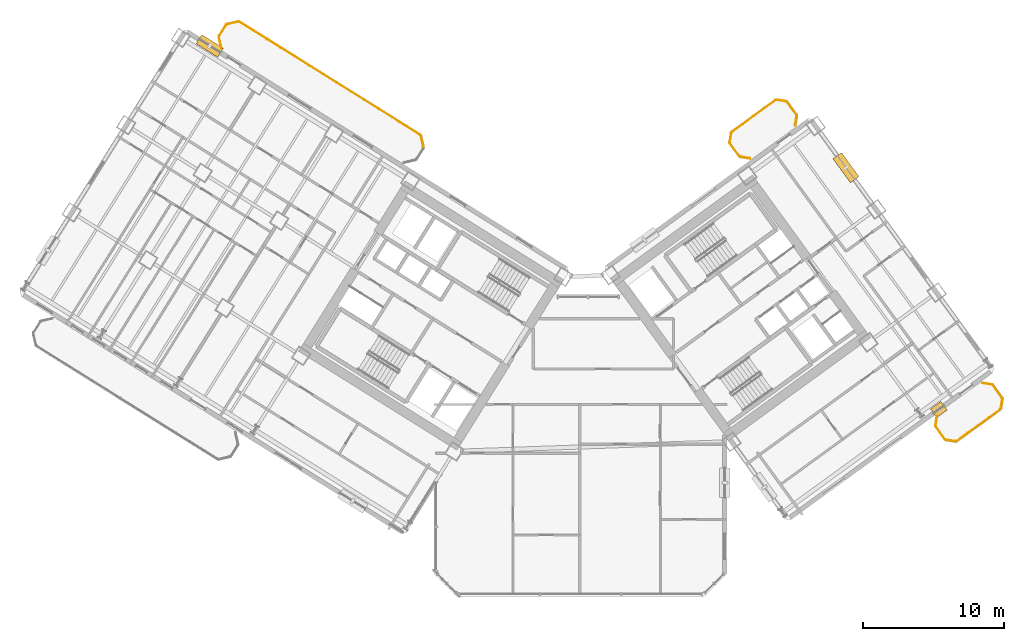
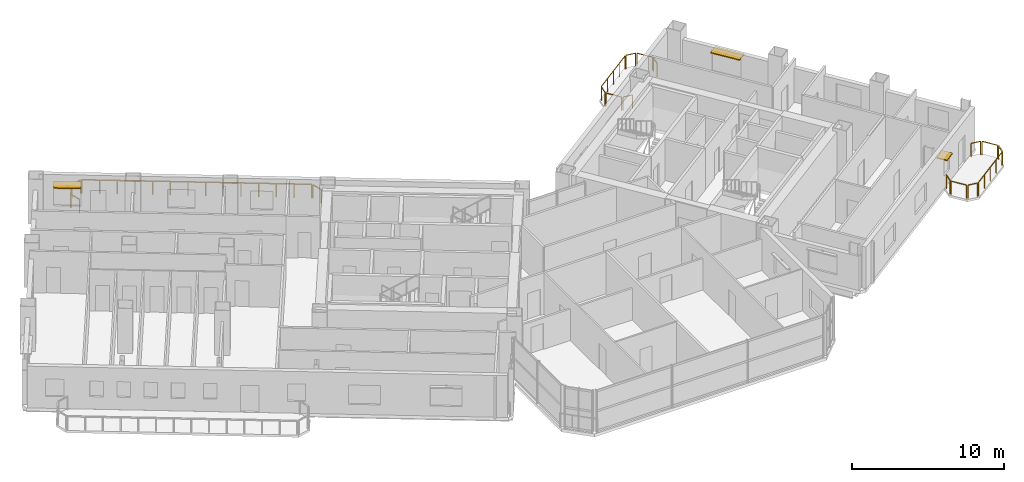
# One storey, part 24 of 24: 19 railings, 3 shading devices.
"""IFC4 building model written with IfcOpenShell, lengths in metres."""

from ifc_helpers import new_model, si_unit, direction, frame, origin, origin_2d, place, context, subcontext, project, spatial, rectangle, extrude, source, transform, mapped, material, layer, layer_set, type_object, element, save


model = new_model("IFC4")

# Units and contexts
model_context = context("Model", 3, precision=1e-05, world=origin(), true_north=direction((0.0, 1.0)))
body_context = subcontext(model_context, "Body", "Model", "MODEL_VIEW")
ifc_project = project(units=[si_unit("LENGTHUNIT", "METRE"), si_unit("AREAUNIT", "SQUARE_METRE"), si_unit("VOLUMEUNIT", "CUBIC_METRE"), si_unit("PLANEANGLEUNIT", "RADIAN"), si_unit("MASSUNIT", "GRAM", prefix="KILO")], contexts=[model_context])

# Site, building, storey
site_placement = place(None, origin())
site = spatial("IfcSite", under=ifc_project, at=site_placement, CompositionType="ELEMENT")
building_placement = place(site_placement, origin())
building = spatial("IfcBuilding", under=site, at=building_placement, Name="Tlacorven Tower", CompositionType="ELEMENT")
storey_placement = place(building_placement, frame((0.0, 0.0, 31.199951171875)))
storey = spatial("IfcBuildingStorey", under=building, at=storey_placement, Name="L07", CompositionType="ELEMENT", Elevation=31.199951171875)

# Railings
ifc_material_1 = material(Name="Aluminium and painted steel balustrade", Category="steel")
railing_type = type_object("IfcRailingType", Name="RL-BAL-1100", PredefinedType="BALUSTRADE", material=ifc_material_1)
shared_shape_1 = source(origin(), body_context, "Body", "SweptSolid", [
    extrude(rectangle(XDim=0.048095703125, YDim=0.048095703125, at=origin_2d()), frame((0.0, 0.0, 1.076171875), z_axis=(0.225058334816, -0.974345290916, 0.0), x_axis=(0.974345290916, 0.225058334816, 0.0)), (0.0, 0.0, 1.0), 0.80712890625),
    extrude(rectangle(XDim=0.0419921875, YDim=0.0419921875, at=origin_2d()), origin(), (0.0, 0.0, 1.0), 1.052001953125),
    extrude(rectangle(XDim=0.0419921875, YDim=0.0419921875, at=origin_2d()), frame((0.181640625, -0.786376953125, 0.0)), (0.0, 0.0, 1.0), 1.052001953125),
])
railing_1_placement = place(storey_placement, frame((30.6796875, 34.466064453125, 0.0)))
element("IfcRailing", 1, at=railing_1_placement, inside=storey, type_object=railing_type, Name="BAL-L07-W-IN Guard Railing 1", PredefinedType="BALUSTRADE", context=body_context, shape_type="MappedRepresentation", body=[
    mapped(shared_shape_1, transform((0.0, 0.0, 0.0), scale=1.0)),
])
shared_shape_2 = source(origin(), body_context, "Body", "SweptSolid", [
    extrude(rectangle(XDim=0.048095703125, YDim=0.048095703125, at=origin_2d()), frame((0.0, 0.0, 1.076171875), z_axis=(-0.225058334816, 0.974345290916, 0.0), x_axis=(-0.974345290916, -0.225058334816, 0.0)), (0.0, 0.0, 1.0), 0.80712890625),
    extrude(rectangle(XDim=0.0419921875, YDim=0.0419921875, at=origin_2d()), origin(), (0.0, 0.0, 1.0), 1.052001953125),
    extrude(rectangle(XDim=0.0419921875, YDim=0.0419921875, at=origin_2d()), frame((-0.181640625, 0.786376953125, 0.0)), (0.0, 0.0, 1.0), 1.052001953125),
])
railing_2_placement = place(storey_placement, frame((16.5361328125, 40.68115234375, 0.0)))
element("IfcRailing", 2, at=railing_2_placement, inside=storey, type_object=railing_type, Name="BAL-L07-W-IN Guard Railing 4", PredefinedType="BALUSTRADE", context=body_context, shape_type="MappedRepresentation", body=[
    mapped(shared_shape_2, transform((0.0, 0.0, 0.0), scale=1.0)),
])
shared_shape_3 = source(origin(), body_context, "Body", "SweptSolid", [
    extrude(rectangle(XDim=0.048095703125, YDim=0.048095703125, at=origin_2d()), frame((0.0, 0.0, 1.076171875), z_axis=(0.52987865805, 0.848073468364, 0.0), x_axis=(-0.848073468364, 0.52987865805, 0.0)), (0.0, 0.0, 1.0), 0.912353515625),
    extrude(rectangle(XDim=0.0419921875, YDim=0.0419921875, at=origin_2d()), origin(), (0.0, 0.0, 1.0), 1.052001953125),
    extrude(rectangle(XDim=0.0419921875, YDim=0.0419921875, at=origin_2d()), frame((0.4833984375, 0.773681640625, 0.0)), (0.0, 0.0, 1.0), 1.052001953125),
])
railing_3_placement = place(storey_placement, frame((16.369873046875, 41.55859375, 0.0)))
element("IfcRailing", 3, at=railing_3_placement, inside=storey, type_object=railing_type, Name="BAL-L07-W-IN Guard Railing 5", PredefinedType="BALUSTRADE", context=body_context, shape_type="MappedRepresentation", body=[
    mapped(shared_shape_3, transform((0.0, 0.0, 0.0), scale=1.0)),
])
shared_shape_4 = source(origin(), body_context, "Body", "SweptSolid", [
    extrude(rectangle(XDim=0.048095703125, YDim=0.048095703125, at=origin_2d()), frame((0.0, 0.0, 1.076171875), z_axis=(0.974411586182, 0.224771129628, 0.0), x_axis=(-0.224771129628, 0.974411586182, 0.0)), (0.0, 0.0, 1.0), 0.80712890625),
    extrude(rectangle(XDim=0.0419921875, YDim=0.0419921875, at=origin_2d()), origin(), (0.0, 0.0, 1.0), 1.052001953125),
    extrude(rectangle(XDim=0.0419921875, YDim=0.0419921875, at=origin_2d()), frame((0.786376953125, 0.181396484375, 0.0)), (0.0, 0.0, 1.0), 1.052001953125),
])
railing_4_placement = place(storey_placement, frame((16.928466796875, 42.385986328125, 0.0)))
element("IfcRailing", 4, at=railing_4_placement, inside=storey, type_object=railing_type, Name="BAL-L07-W-IN Guard Railing 6", PredefinedType="BALUSTRADE", context=body_context, shape_type="MappedRepresentation", body=[
    mapped(shared_shape_4, transform((0.0, 0.0, 0.0), scale=1.0)),
])
shared_shape_5 = source(origin(), body_context, "Body", "SweptSolid", [
    extrude(rectangle(XDim=0.048095703125, YDim=0.048095703125, at=origin_2d()), frame((0.0, 0.0, 1.076171875), z_axis=(0.848044572804, -0.529924902733, 0.0), x_axis=(0.529924902733, 0.848044572804, 0.0)), (0.0, 0.0, 1.0), 15.1171875),
    extrude(rectangle(XDim=0.0419921875, YDim=0.0419921875, at=origin_2d()), origin(), (0.0, 0.0, 1.0), 1.052001953125),
    extrude(rectangle(XDim=0.0419921875, YDim=0.0419921875, at=origin_2d()), frame((0.986083984375, -0.6162109375, 0.0)), (0.0, 0.0, 1.0), 1.052001953125),
    extrude(rectangle(XDim=0.0419921875, YDim=0.0419921875, at=origin_2d()), frame((1.972412109375, -1.232421875, 0.0)), (0.0, 0.0, 1.0), 1.052001953125),
    extrude(rectangle(XDim=0.0419921875, YDim=0.0419921875, at=origin_2d()), frame((2.95849609375, -1.8486328125, 0.0)), (0.0, 0.0, 1.0), 1.052001953125),
    extrude(rectangle(XDim=0.0419921875, YDim=0.0419921875, at=origin_2d()), frame((3.944580078125, -2.46484375, 0.0)), (0.0, 0.0, 1.0), 1.052001953125),
    extrude(rectangle(XDim=0.0419921875, YDim=0.0419921875, at=origin_2d()), frame((4.930908203125, -3.0810546875, 0.0)), (0.0, 0.0, 1.0), 1.052001953125),
    extrude(rectangle(XDim=0.0419921875, YDim=0.0419921875, at=origin_2d()), frame((5.9169921875, -3.697265625, 0.0)), (0.0, 0.0, 1.0), 1.052001953125),
    extrude(rectangle(XDim=0.0419921875, YDim=0.0419921875, at=origin_2d()), frame((6.903076171875, -4.313720703125, 0.0)), (0.0, 0.0, 1.0), 1.052001953125),
    extrude(rectangle(XDim=0.0419921875, YDim=0.0419921875, at=origin_2d()), frame((7.88916015625, -4.929931640625, 0.0)), (0.0, 0.0, 1.0), 1.052001953125),
    extrude(rectangle(XDim=0.0419921875, YDim=0.0419921875, at=origin_2d()), frame((8.87548828125, -5.546142578125, 0.0)), (0.0, 0.0, 1.0), 1.052001953125),
    extrude(rectangle(XDim=0.0419921875, YDim=0.0419921875, at=origin_2d()), frame((9.861572265625, -6.162353515625, 0.0)), (0.0, 0.0, 1.0), 1.052001953125),
    extrude(rectangle(XDim=0.0419921875, YDim=0.0419921875, at=origin_2d()), frame((10.84765625, -6.778564453125, 0.0)), (0.0, 0.0, 1.0), 1.052001953125),
    extrude(rectangle(XDim=0.0419921875, YDim=0.0419921875, at=origin_2d()), frame((11.833984375, -7.394775390625, 0.0)), (0.0, 0.0, 1.0), 1.052001953125),
    extrude(rectangle(XDim=0.0419921875, YDim=0.0419921875, at=origin_2d()), frame((12.820068359375, -8.010986328125, 0.0)), (0.0, 0.0, 1.0), 1.052001953125),
])
railing_5_placement = place(storey_placement, frame((17.805908203125, 42.55224609375, 0.0)))
element("IfcRailing", 5, at=railing_5_placement, inside=storey, type_object=railing_type, Name="BAL-L07-W-IN Guard Railing 7", PredefinedType="BALUSTRADE", context=body_context, shape_type="MappedRepresentation", body=[
    mapped(shared_shape_5, transform((0.0, 0.0, 0.0), scale=1.0)),
])
shared_shape_6 = source(origin(), body_context, "Body", "SweptSolid", [
    extrude(rectangle(XDim=0.048095703125, YDim=0.048095703125, at=origin_2d()), frame((0.0, 0.0, 1.076171875), z_axis=(-0.987661653326, 0.156602868908, 0.0), x_axis=(-0.156602868908, -0.987661653326, 0.0)), (0.0, 0.0, 1.0), 0.665771484375),
    extrude(rectangle(XDim=0.0419921875, YDim=0.0419921875, at=origin_2d()), origin(), (0.0, 0.0, 1.0), 1.052001953125),
    extrude(rectangle(XDim=0.0419921875, YDim=0.0419921875, at=origin_2d()), frame((-0.657470703125, 0.104248046875, 0.0)), (0.0, 0.0, 1.0), 1.052001953125),
])
railing_6_placement = place(storey_placement, frame((68.59521484375, 12.7919921875, 0.0)))
element("IfcRailing", 6, at=railing_6_placement, inside=storey, type_object=railing_type, Name="BAL-L07-E-OUT Guard Railing 1", PredefinedType="BALUSTRADE", context=body_context, shape_type="MappedRepresentation", body=[
    mapped(shared_shape_6, transform((0.0, 0.0, 0.0), scale=1.0)),
])
shared_shape_7 = source(origin(), body_context, "Body", "SweptSolid", [
    extrude(rectangle(XDim=0.048095703125, YDim=0.048095703125, at=origin_2d()), frame((0.0, 0.0, 1.076171875), z_axis=(-0.58788449985, 0.808944877501, 0.0), x_axis=(-0.808944877501, -0.58788449985, 0.0)), (0.0, 0.0, 1.0), 1.112060546875),
    extrude(rectangle(XDim=0.0419921875, YDim=0.0419921875, at=origin_2d()), origin(), (0.0, 0.0, 1.0), 1.052001953125),
    extrude(rectangle(XDim=0.0419921875, YDim=0.0419921875, at=origin_2d()), frame((-0.65380859375, 0.899658203125, 0.0)), (0.0, 0.0, 1.0), 1.052001953125),
])
railing_7_placement = place(storey_placement, frame((67.85888671875, 12.944580078125, 0.0)))
element("IfcRailing", 7, at=railing_7_placement, inside=storey, type_object=railing_type, Name="BAL-L07-E-OUT Guard Railing 2", PredefinedType="BALUSTRADE", context=body_context, shape_type="MappedRepresentation", body=[
    mapped(shared_shape_7, transform((0.0, 0.0, 0.0), scale=1.0)),
])
shared_shape_8 = source(origin(), body_context, "Body", "SweptSolid", [
    extrude(rectangle(XDim=0.048095703125, YDim=0.048095703125, at=origin_2d()), frame((0.0, 0.0, 1.076171875), z_axis=(0.156602868908, 0.987661653326, 0.0), x_axis=(-0.987661653326, 0.156602868908, 0.0)), (0.0, 0.0, 1.0), 0.665771484375),
    extrude(rectangle(XDim=0.0419921875, YDim=0.0419921875, at=origin_2d()), origin(), (0.0, 0.0, 1.0), 1.052001953125),
    extrude(rectangle(XDim=0.0419921875, YDim=0.0419921875, at=origin_2d()), frame((0.104248046875, 0.657470703125, 0.0)), (0.0, 0.0, 1.0), 1.052001953125),
])
railing_8_placement = place(storey_placement, frame((67.18359375, 13.93408203125, 0.0)))
element("IfcRailing", 8, at=railing_8_placement, inside=storey, type_object=railing_type, Name="BAL-L07-E-OUT Guard Railing 3", PredefinedType="BALUSTRADE", context=body_context, shape_type="MappedRepresentation", body=[
    mapped(shared_shape_8, transform((0.0, 0.0, 0.0), scale=1.0)),
])
shared_shape_9 = source(origin(), body_context, "Body", "SweptSolid", [
    extrude(rectangle(XDim=0.048095703125, YDim=0.048095703125, at=origin_2d()), frame((0.0, 0.0, 1.076171875), z_axis=(0.987718317463, -0.156245081039, 0.0), x_axis=(0.156245081039, 0.987718317463, 0.0)), (0.0, 0.0, 1.0), 0.66552734375),
    extrude(rectangle(XDim=0.0419921875, YDim=0.0419921875, at=origin_2d()), origin(), (0.0, 0.0, 1.0), 1.052001953125),
    extrude(rectangle(XDim=0.0419921875, YDim=0.0419921875, at=origin_2d()), frame((0.657470703125, -0.10400390625, 0.0)), (0.0, 0.0, 1.0), 1.052001953125),
])
railing_9_placement = place(storey_placement, frame((70.513916015625, 16.935546875, 0.0)))
element("IfcRailing", 9, at=railing_9_placement, inside=storey, type_object=railing_type, Name="BAL-L07-E-OUT Guard Railing 4", PredefinedType="BALUSTRADE", context=body_context, shape_type="MappedRepresentation", body=[
    mapped(shared_shape_9, transform((0.0, 0.0, 0.0), scale=1.0)),
])
shared_shape_10 = source(origin(), body_context, "Body", "SweptSolid", [
    extrude(rectangle(XDim=0.048095703125, YDim=0.048095703125, at=origin_2d()), frame((0.0, 0.0, 1.076171875), z_axis=(0.58788449985, -0.808944877501, 0.0), x_axis=(0.808944877501, 0.58788449985, 0.0)), (0.0, 0.0, 1.0), 1.112060546875),
    extrude(rectangle(XDim=0.0419921875, YDim=0.0419921875, at=origin_2d()), origin(), (0.0, 0.0, 1.0), 1.052001953125),
    extrude(rectangle(XDim=0.0419921875, YDim=0.0419921875, at=origin_2d()), frame((0.65380859375, -0.899658203125, 0.0)), (0.0, 0.0, 1.0), 1.052001953125),
])
for number, where, name in (
    (10, (71.250244140625, 16.783203125, 0.0), "BAL-L07-E-OUT Guard Railing 5"),
    (11, (56.658447265625, 36.866943359375, 0.0), "BAL-L07-E-IN Guard Railing 6"),
):
    element("IfcRailing", number, at=place(storey_placement, frame(where)), inside=storey, type_object=railing_type, Name=name, PredefinedType="BALUSTRADE", context=body_context, shape_type="MappedRepresentation", body=[
        mapped(shared_shape_10, transform((0.0, 0.0, 0.0), scale=1.0)),
    ])
shared_shape_11 = source(origin(), body_context, "Body", "SweptSolid", [
    extrude(rectangle(XDim=0.048095703125, YDim=0.048095703125, at=origin_2d()), frame((0.0, 0.0, 1.076171875), z_axis=(-0.156188498702, -0.987727266442, 0.0), x_axis=(0.987727266442, -0.156188498702, 0.0)), (0.0, 0.0, 1.0), 0.665771484375),
    extrude(rectangle(XDim=0.0419921875, YDim=0.0419921875, at=origin_2d()), origin(), (0.0, 0.0, 1.0), 1.052001953125),
    extrude(rectangle(XDim=0.0419921875, YDim=0.0419921875, at=origin_2d()), frame((-0.10400390625, -0.65771484375, 0.0)), (0.0, 0.0, 1.0), 1.052001953125),
])
railing_10_placement = place(storey_placement, frame((71.925537109375, 15.793701171875, 0.0)))
element("IfcRailing", 12, at=railing_10_placement, inside=storey, type_object=railing_type, Name="BAL-L07-E-OUT Guard Railing 6", PredefinedType="BALUSTRADE", context=body_context, shape_type="MappedRepresentation", body=[
    mapped(shared_shape_11, transform((0.0, 0.0, 0.0), scale=1.0)),
])
shared_shape_12 = source(origin(), body_context, "Body", "SweptSolid", [
    extrude(rectangle(XDim=0.048095703125, YDim=0.048095703125, at=origin_2d()), frame((0.0, 0.0, 1.076171875), z_axis=(-0.809018102573, -0.587783726986, 0.0), x_axis=(0.587783726986, -0.809018102573, 0.0)), (0.0, 0.0, 1.0), 3.817138671875),
    extrude(rectangle(XDim=0.0419921875, YDim=0.0419921875, at=origin_2d()), origin(), (0.0, 0.0, 1.0), 1.052001953125),
    extrude(rectangle(XDim=0.0419921875, YDim=0.0419921875, at=origin_2d()), frame((-0.77197265625, -0.56103515625, 0.0)), (0.0, 0.0, 1.0), 1.052001953125),
    extrude(rectangle(XDim=0.0419921875, YDim=0.0419921875, at=origin_2d()), frame((-1.5439453125, -1.121826171875, 0.0)), (0.0, 0.0, 1.0), 1.052001953125),
    extrude(rectangle(XDim=0.0419921875, YDim=0.0419921875, at=origin_2d()), frame((-2.316162109375, -1.6826171875, 0.0)), (0.0, 0.0, 1.0), 1.052001953125),
    extrude(rectangle(XDim=0.0419921875, YDim=0.0419921875, at=origin_2d()), frame((-3.088134765625, -2.24365234375, 0.0)), (0.0, 0.0, 1.0), 1.052001953125),
])
railing_11_placement = place(storey_placement, frame((71.773193359375, 15.057373046875, 0.0)))
element("IfcRailing", 13, at=railing_11_placement, inside=storey, type_object=railing_type, Name="BAL-L07-E-OUT Guard Railing 7", PredefinedType="BALUSTRADE", context=body_context, shape_type="MappedRepresentation", body=[
    mapped(shared_shape_12, transform((0.0, 0.0, 0.0), scale=1.0)),
])
shared_shape_13 = source(origin(), body_context, "Body", "SweptSolid", [
    extrude(rectangle(XDim=0.048095703125, YDim=0.048095703125, at=origin_2d()), frame((0.0, 0.0, 1.076171875), z_axis=(-0.987718317463, 0.156245081039, 0.0), x_axis=(-0.156245081039, -0.987718317463, 0.0)), (0.0, 0.0, 1.0), 0.66552734375),
    extrude(rectangle(XDim=0.0419921875, YDim=0.0419921875, at=origin_2d()), origin(), (0.0, 0.0, 1.0), 1.052001953125),
    extrude(rectangle(XDim=0.0419921875, YDim=0.0419921875, at=origin_2d()), frame((-0.657470703125, 0.10400390625, 0.0)), (0.0, 0.0, 1.0), 1.052001953125),
])
railing_12_placement = place(storey_placement, frame((54.00341796875, 32.8759765625, 0.0)))
element("IfcRailing", 14, at=railing_12_placement, inside=storey, type_object=railing_type, Name="BAL-L07-E-IN Guard Railing 1", PredefinedType="BALUSTRADE", context=body_context, shape_type="MappedRepresentation", body=[
    mapped(shared_shape_13, transform((0.0, 0.0, 0.0), scale=1.0)),
])
shared_shape_14 = source(origin(), body_context, "Body", "SweptSolid", [
    extrude(rectangle(XDim=0.048095703125, YDim=0.048095703125, at=origin_2d()), frame((0.0, 0.0, 1.076171875), z_axis=(-0.587740817519, 0.809049276263, 0.0), x_axis=(-0.809049276263, -0.587740817519, 0.0)), (0.0, 0.0, 1.0), 1.112060546875),
    extrude(rectangle(XDim=0.0419921875, YDim=0.0419921875, at=origin_2d()), origin(), (0.0, 0.0, 1.0), 1.052001953125),
    extrude(rectangle(XDim=0.0419921875, YDim=0.0419921875, at=origin_2d()), frame((-0.653564453125, 0.899658203125, 0.0)), (0.0, 0.0, 1.0), 1.052001953125),
])
railing_13_placement = place(storey_placement, frame((53.26708984375, 33.0283203125, 0.0)))
element("IfcRailing", 15, at=railing_13_placement, inside=storey, type_object=railing_type, Name="BAL-L07-E-IN Guard Railing 2", PredefinedType="BALUSTRADE", context=body_context, shape_type="MappedRepresentation", body=[
    mapped(shared_shape_14, transform((0.0, 0.0, 0.0), scale=1.0)),
])
shared_shape_15 = source(origin(), body_context, "Body", "SweptSolid", [
    extrude(rectangle(XDim=0.048095703125, YDim=0.048095703125, at=origin_2d()), frame((0.0, 0.0, 1.076171875), z_axis=(0.156546163506, 0.987670642822, 0.0), x_axis=(-0.987670642822, 0.156546163506, 0.0)), (0.0, 0.0, 1.0), 0.666015625),
    extrude(rectangle(XDim=0.0419921875, YDim=0.0419921875, at=origin_2d()), origin(), (0.0, 0.0, 1.0), 1.052001953125),
    extrude(rectangle(XDim=0.0419921875, YDim=0.0419921875, at=origin_2d()), frame((0.104248046875, 0.65771484375, 0.0)), (0.0, 0.0, 1.0), 1.052001953125),
])
railing_14_placement = place(storey_placement, frame((52.591796875, 34.017822265625, 0.0)))
element("IfcRailing", 16, at=railing_14_placement, inside=storey, type_object=railing_type, Name="BAL-L07-E-IN Guard Railing 3", PredefinedType="BALUSTRADE", context=body_context, shape_type="MappedRepresentation", body=[
    mapped(shared_shape_15, transform((0.0, 0.0, 0.0), scale=1.0)),
])
shared_shape_16 = source(origin(), body_context, "Body", "SweptSolid", [
    extrude(rectangle(XDim=0.048095703125, YDim=0.048095703125, at=origin_2d()), frame((0.0, 0.0, 1.076171875), z_axis=(0.809040198054, 0.587753313843, 0.0), x_axis=(-0.587753313843, 0.809040198054, 0.0)), (0.0, 0.0, 1.0), 3.8173828125),
    extrude(rectangle(XDim=0.0419921875, YDim=0.0419921875, at=origin_2d()), origin(), (0.0, 0.0, 1.0), 1.052001953125),
    extrude(rectangle(XDim=0.0419921875, YDim=0.0419921875, at=origin_2d()), frame((0.77197265625, 0.56103515625, 0.0)), (0.0, 0.0, 1.0), 1.052001953125),
    extrude(rectangle(XDim=0.0419921875, YDim=0.0419921875, at=origin_2d()), frame((1.544189453125, 1.121826171875, 0.0)), (0.0, 0.0, 1.0), 1.052001953125),
    extrude(rectangle(XDim=0.0419921875, YDim=0.0419921875, at=origin_2d()), frame((2.31640625, 1.6826171875, 0.0)), (0.0, 0.0, 1.0), 1.052001953125),
    extrude(rectangle(XDim=0.0419921875, YDim=0.0419921875, at=origin_2d()), frame((3.08837890625, 2.24365234375, 0.0)), (0.0, 0.0, 1.0), 1.052001953125),
])
railing_15_placement = place(storey_placement, frame((52.744140625, 34.754150390625, 0.0)))
element("IfcRailing", 17, at=railing_15_placement, inside=storey, type_object=railing_type, Name="BAL-L07-E-IN Guard Railing 4", PredefinedType="BALUSTRADE", context=body_context, shape_type="MappedRepresentation", body=[
    mapped(shared_shape_16, transform((0.0, 0.0, 0.0), scale=1.0)),
])
shared_shape_17 = source(origin(), body_context, "Body", "SweptSolid", [
    extrude(rectangle(XDim=0.048095703125, YDim=0.048095703125, at=origin_2d()), frame((0.0, 0.0, 1.076171875), z_axis=(0.987670642822, -0.156546163506, 0.0), x_axis=(0.156546163506, 0.987670642822, 0.0)), (0.0, 0.0, 1.0), 0.666015625),
    extrude(rectangle(XDim=0.0419921875, YDim=0.0419921875, at=origin_2d()), origin(), (0.0, 0.0, 1.0), 1.052001953125),
    extrude(rectangle(XDim=0.0419921875, YDim=0.0419921875, at=origin_2d()), frame((0.65771484375, -0.104248046875, 0.0)), (0.0, 0.0, 1.0), 1.052001953125),
])
railing_16_placement = place(storey_placement, frame((55.922119140625, 37.01953125, 0.0)))
element("IfcRailing", 18, at=railing_16_placement, inside=storey, type_object=railing_type, Name="BAL-L07-E-IN Guard Railing 5", PredefinedType="BALUSTRADE", context=body_context, shape_type="MappedRepresentation", body=[
    mapped(shared_shape_17, transform((0.0, 0.0, 0.0), scale=1.0)),
])
shared_shape_18 = source(origin(), body_context, "Body", "SweptSolid", [
    extrude(rectangle(XDim=0.048095703125, YDim=0.048095703125, at=origin_2d()), frame((0.0, 0.0, 1.076171875), z_axis=(-0.156245081039, -0.987718317463, 0.0), x_axis=(0.987718317463, -0.156245081039, 0.0)), (0.0, 0.0, 1.0), 0.66552734375),
    extrude(rectangle(XDim=0.0419921875, YDim=0.0419921875, at=origin_2d()), origin(), (0.0, 0.0, 1.0), 1.052001953125),
    extrude(rectangle(XDim=0.0419921875, YDim=0.0419921875, at=origin_2d()), frame((-0.10400390625, -0.657470703125, 0.0)), (0.0, 0.0, 1.0), 1.052001953125),
])
railing_17_placement = place(storey_placement, frame((57.333740234375, 35.87744140625, 0.0)))
element("IfcRailing", 19, at=railing_17_placement, inside=storey, type_object=railing_type, Name="BAL-L07-E-IN Guard Railing 7", PredefinedType="BALUSTRADE", context=body_context, shape_type="MappedRepresentation", body=[
    mapped(shared_shape_18, transform((0.0, 0.0, 0.0), scale=1.0)),
])

# Shading devices
ifc_material_2 = material(Name="Anodised bronze aluminium sunshade", Category="aluminium")
ifc_layer = layer(ifc_material_2, 0.080078125)
ifc_layer_set = layer_set([ifc_layer], Name="Anodised bronze aluminium sunshade")
shading_device_type = type_object("IfcShadingDeviceType", Name="SH-SUN-BRZ", PredefinedType="AWNING", material=ifc_layer_set)
shared_shape_19 = source(origin(), body_context, "Body", "SweptSolid", [
    extrude(rectangle(XDim=2.10009765625, YDim=0.75, at=origin_2d()), origin(), (0.0, 0.0, 1.0), 0.080078125),
])
shading_device_1_placement = place(storey_placement, frame((60.83154296875, 32.21240234375, 2.3701171875), z_axis=(0.0, 0.0, 1.0), x_axis=(0.587785363163, -0.809016913823, 0.0)))
element("IfcShadingDevice", 20, at=shading_device_1_placement, inside=storey, type_object=shading_device_type, Name="L07 Solar Brise-Soleil Sunshade L07-05.1", PredefinedType="AWNING", context=body_context, shape_type="MappedRepresentation", body=[
    mapped(shared_shape_19, transform((0.0, 0.0, 0.0), scale=1.0)),
])
shared_shape_20 = source(origin(), body_context, "Body", "SweptSolid", [
    extrude(rectangle(XDim=1.800048828125, YDim=0.75, at=origin_2d()), origin(), (0.0, 0.0, 1.0), 0.080078125),
])
shading_device_2_placement = place(storey_placement, frame((15.7041015625, 40.846923828125, 2.3701171875), z_axis=(0.0, 0.0, 1.0), x_axis=(0.84804812172, -0.529919223323, 0.0)))
element("IfcShadingDevice", 21, at=shading_device_2_placement, inside=storey, type_object=shading_device_type, Name="L07 Solar Brise-Soleil Sunshade L07-03.1", PredefinedType="AWNING", context=body_context, shape_type="MappedRepresentation", body=[
    mapped(shared_shape_20, transform((0.0, 0.0, 0.0), scale=1.0)),
])
shared_shape_21 = source(origin(), body_context, "Body", "SweptSolid", [
    extrude(rectangle(XDim=0.89990234375, YDim=0.75, at=origin_2d()), origin(), (0.0, 0.0, 1.0), 0.080078125),
])
shading_device_3_placement = place(storey_placement, frame((67.413818359375, 15.054443359375, 2.27001953125), z_axis=(0.0, 0.0, 1.0), x_axis=(-0.809017097486, -0.587785110372, 0.0)))
element("IfcShadingDevice", 22, at=shading_device_3_placement, inside=storey, type_object=shading_device_type, Name="L07 Solar Brise-Soleil Sunshade L07-06.1", PredefinedType="AWNING", context=body_context, shape_type="MappedRepresentation", body=[
    mapped(shared_shape_21, transform((0.0, 0.0, 0.0), scale=1.0)),
])

save(model, "model.ifc")
